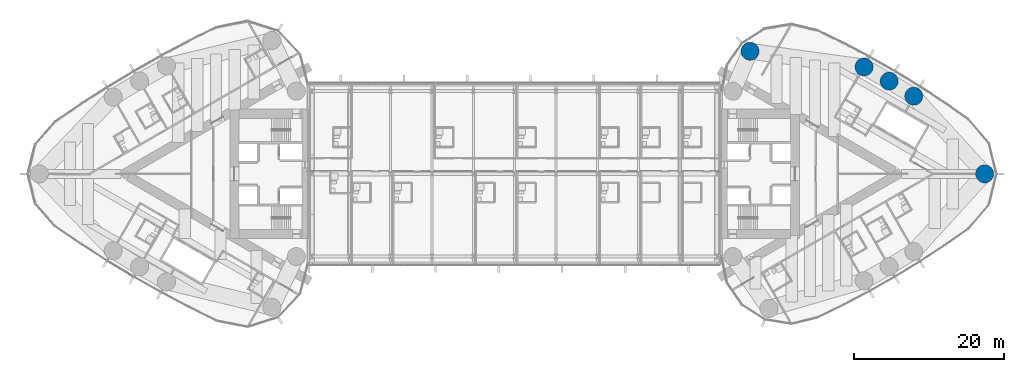
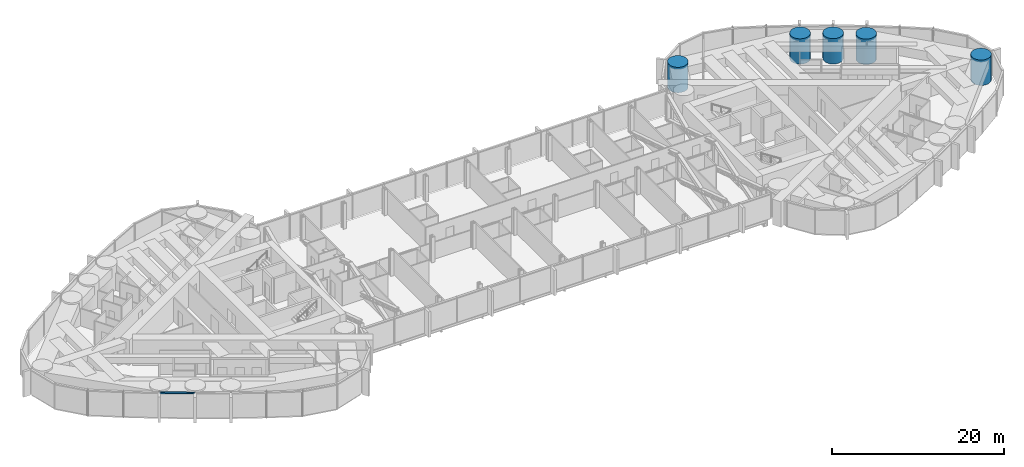
# One storey, part 2 of 23: 5 columns, 1 member, 1 element without a shape of its own.
"""IFC4 building model written with IfcOpenShell, lengths in metres."""

from ifc_helpers import new_model, si_unit, direction, frame, origin, origin_2d, place, context, subcontext, project, spatial, rectangle, circle, extrude, material, material_profile, profile_set, type_object, element, aggregate, save


model = new_model("IFC4")

# Units and contexts
model_context = context("Model", 3, precision=1e-05, world=origin(), true_north=direction((0.0, 1.0)))
body_context = subcontext(model_context, "Body", "Model", "MODEL_VIEW")
ifc_project = project(units=[si_unit("LENGTHUNIT", "METRE"), si_unit("AREAUNIT", "SQUARE_METRE"), si_unit("VOLUMEUNIT", "CUBIC_METRE"), si_unit("PLANEANGLEUNIT", "RADIAN"), si_unit("MASSUNIT", "GRAM", prefix="KILO")], contexts=[model_context])

# Site, building, storey
site_placement = place(None, origin())
site = spatial("IfcSite", under=ifc_project, at=site_placement, CompositionType="ELEMENT")
building_placement = place(site_placement, origin())
building = spatial("IfcBuilding", under=site, at=building_placement, Name="Lancet Gate Hotel", CompositionType="ELEMENT")
storey_placement = place(building_placement, frame((0.0, 0.0, 240.5)))
storey = spatial("IfcBuildingStorey", under=building, at=storey_placement, Name="L64", CompositionType="ELEMENT", Elevation=240.5)

# Columns
ifc_material_1 = material(Name="Concrete C50/60", Category="concrete")
ifc_material_profile_1 = material_profile(ifc_material_1, circle(Radius=1.199951171875, at=origin_2d()), Name="RC D2400")
ifc_profile_set_1 = profile_set([ifc_material_profile_1], Name="Concrete C50/60")
column_type = type_object("IfcColumnType", Name="Perimeter column RC D2400", PredefinedType="COLUMN", material=ifc_profile_set_1)
for number, where, z_axis, x_axis, name in (
    (1, (62.54150390625, 0.0, 0.0), (0.0, 0.0, 1.0), (1.0, 0.0, 0.0), "T2 column CA L64"),
    (2, (31.328369140625, 16.310791015625, 0.0), (0.0, 0.0, 1.0), (1.0, 0.0, 0.0), "T2 column CN L64"),
    (3, (53.107666015625, 10.333984375, 0.0), (0.0, 0.0, 1.0), (1.0, 0.0, 0.0), "T2 column ON1 L64"),
    (4, (49.833984375, 12.331787109375, 0.0), (0.0, 0.0, 1.0), (1.0, 0.0, 0.0), "T2 column ON2 L64"),
    (5, (46.499267578125, 14.2255859375, 0.0), (0.0, 0.0, 1.0), (1.0, 0.0, 0.0), "T2 column ON3 L64"),
):
    element("IfcColumn", number, at=place(storey_placement, frame(where, z_axis=z_axis, x_axis=x_axis)), inside=storey, type_object=column_type, Name=name, PredefinedType="COLUMN", context=body_context, shape_type="SweptSolid", body=[
        extrude(circle(Radius=1.199951171875, at=origin_2d()), origin(), (0.0, 0.0, 1.0), 3.60009765625),
    ])

# Curtain wall, member
ifc_material_2 = material(Name="Aluminium curtain wall", Category="aluminium")
curtain_wall_type = type_object("IfcCurtainWallType", Name="Tower unitised curtain wall", PredefinedType="USERDEFINED", material=ifc_material_2)
curtain_wall_placement = place(storey_placement, origin())
curtain_wall = element("IfcCurtainWall", 6, at=curtain_wall_placement, inside=storey, type_object=curtain_wall_type, Name="T1 L64 curtain wall 1", ObjectType="UNITISED CURTAIN WALL", PredefinedType="USERDEFINED")
ifc_material_3 = material(Name="Aluminium transom", Category="aluminium")
ifc_material_profile_2 = material_profile(ifc_material_3, rectangle(XDim=0.25, YDim=0.14990234375, at=origin_2d()), Name="TRANSOM 250x150")
ifc_profile_set_2 = profile_set([ifc_material_profile_2], Name="Aluminium transom")
member_type = type_object("IfcMemberType", Name="Aluminium transom 250x150", PredefinedType="USERDEFINED", material=ifc_profile_set_2)
member_placement = place(storey_placement, frame((-54.197998046875, -11.55224609375, 3.52490234375), z_axis=(0.856362214892, -0.516375596737, 0.0), x_axis=(0.516375596737, 0.856362214892, 0.0)))
member = element("IfcMember", 7, at=member_placement, type_object=member_type, Name="T1 L64 curtain wall 1 transom 17", ObjectType="TRANSOM", PredefinedType="USERDEFINED", context=body_context, shape_type="SweptSolid", body=[
    extrude(rectangle(XDim=0.25, YDim=0.14990234375, at=origin_2d()), origin(), (0.0, 0.0, 1.0), 4.08447265625),
])
aggregate(curtain_wall, [member])

save(model, "model.ifc")
